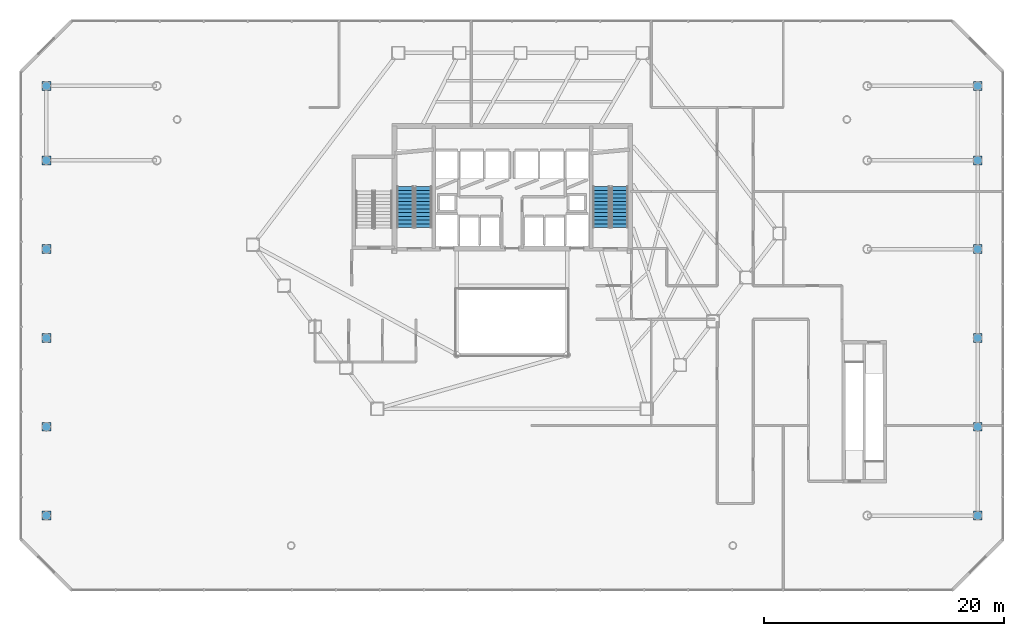
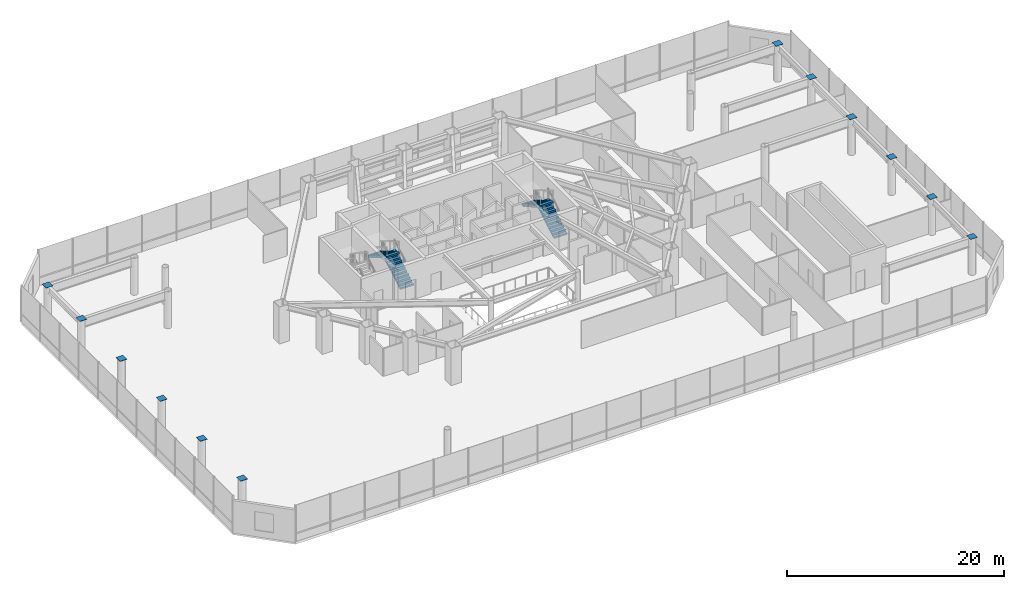
# One storey, part 41 of 43: 12 discrete accessories, 4 stair flights, 2 elements without a shape of their own.
"""IFC4 building model written with IfcOpenShell, lengths in metres."""

import ifcopenshell
import ifcopenshell.guid

model = None  # the IFC model being written
_history = None  # IfcOwnerHistory: only IFC2X3 demands one
_inside = {}  # id of a spatial element -> (the spatial element, [elements in it])
_under = {}  # id of a project, library or spatial element -> (it, [spatial elements below it])
_declared = {}  # id of a project -> (the project, [libraries it declares])
_typed = {}  # id of a type object -> (the type object, [elements of that type])
_made_of = {}  # id of a material, layer set ... -> (it, [elements and type objects made of it])


def new_model(schema):
    """Start an empty IFC model of exactly this schema.

    Asked for "IFC4X3", IfcOpenShell would pick the latest addendum, in which some entities
    have other attributes; the version numbers below select the first issue.
    IFC2X3 requires an IfcOwnerHistory on every rooted entity: one is made here for all.
    """
    global model, _history
    if schema == "IFC4X3":
        model = ifcopenshell.file(schema_version=(4, 3, 0, 0))
    else:
        model = ifcopenshell.file(schema=schema)
    _inside.clear()
    _under.clear()
    _declared.clear()
    _typed.clear()
    _made_of.clear()
    _history = None
    if model.schema == "IFC2X3":
        org = make("IfcOrganization", Name="unknown")
        user = make(
            "IfcPersonAndOrganization",
            ThePerson=make("IfcPerson", FamilyName="unknown"),
            TheOrganization=org,
        )
        app = make(
            "IfcApplication",
            ApplicationDeveloper=org,
            Version="unknown",
            ApplicationFullName="unknown",
            ApplicationIdentifier="unknown",
        )
        _history = make(
            "IfcOwnerHistory",
            OwningUser=user,
            OwningApplication=app,
            ChangeAction="ADDED",
            CreationDate=0,
        )
    return model


def make(cls, **values):
    """One entity of the class cls with the attributes given. An attribute that is None is left unset."""
    return model.create_entity(
        cls, **{name: value for name, value in values.items() if value is not None}
    )


def rooted(cls, **values):
    """An entity with a GlobalId (a new one), such as an element, a storey or a relation."""
    return make(cls, GlobalId=ifcopenshell.guid.new(), OwnerHistory=_history, **values)


def si_unit(unit_type, name, prefix=None):
    """IfcSIUnit, for example si_unit("LENGTHUNIT", "METRE", prefix="MILLI")."""
    return make("IfcSIUnit", UnitType=unit_type, Prefix=prefix, Name=name)


def assignment(units):
    """IfcUnitAssignment: the units of a project."""
    return None if units is None else make("IfcUnitAssignment", Units=units)


def point(xyz):
    """IfcCartesianPoint."""
    return None if xyz is None else make("IfcCartesianPoint", Coordinates=xyz)


def direction(xyz):
    """IfcDirection."""
    return None if xyz is None else make("IfcDirection", DirectionRatios=xyz)


def frame(location, z_axis=None, x_axis=None):
    """IfcAxis2Placement3D, a coordinate frame: its origin and axes. An axis left out is left unset."""
    return make(
        "IfcAxis2Placement3D",
        Location=point(location),
        Axis=direction(z_axis),
        RefDirection=direction(x_axis),
    )


def frame_2d(location, x_axis=None):
    """IfcAxis2Placement2D, a coordinate frame in the plane: its origin and x axis."""
    return make(
        "IfcAxis2Placement2D", Location=point(location), RefDirection=direction(x_axis)
    )


def origin():
    """The frame at (0, 0, 0) with its axes left unset."""
    return frame((0.0, 0.0, 0.0))


def origin_2d():
    """The frame at (0, 0) in the plane with its x axis left unset."""
    return frame_2d((0.0, 0.0))


def place(relative_to, where):
    """IfcLocalPlacement: puts the frame where relative to a parent placement (None: the world)."""
    return make(
        "IfcLocalPlacement", PlacementRelTo=relative_to, RelativePlacement=where
    )


def context(
    kind, dimensions, precision=None, world=None, true_north=None, identifier=None
):
    """IfcGeometricRepresentationContext, for example the 3D "Model" context."""
    return make(
        "IfcGeometricRepresentationContext",
        ContextIdentifier=identifier,
        ContextType=kind,
        CoordinateSpaceDimension=dimensions,
        Precision=precision,
        WorldCoordinateSystem=world,
        TrueNorth=true_north,
    )


def subcontext(parent, identifier, kind, view, scale=None):
    """IfcGeometricRepresentationSubContext, for example "Body" below "Model"."""
    return make(
        "IfcGeometricRepresentationSubContext",
        ContextIdentifier=identifier,
        ContextType=kind,
        ParentContext=parent,
        TargetScale=scale,
        TargetView=view,
    )


def project(units=None, contexts=None):
    """IfcProject with its units and contexts."""
    return rooted(
        "IfcProject",
        Name="project",
        RepresentationContexts=contexts,
        UnitsInContext=assignment(units),
    )


def spatial(cls, under=None, at=None, **own):
    """A site, building, storey or space (cls), placed at a placement, below another one or the project."""
    s = rooted(cls, ObjectPlacement=at, **own)
    if under is not None:
        _under.setdefault(under.id(), (under, []))[1].append(s)
    return s


def polyline(points):
    """IfcPolyline through the points."""
    return make("IfcPolyline", Points=[point(p) for p in points])


def profile(cls, at=None, kind="AREA", **sizes):
    """A parametric profile (cls). Its sizes go by their IFC names, for example OverallWidth=200.0."""
    return make(cls, ProfileType=kind, Position=at, **sizes)


def rectangle(**sizes):
    """IfcRectangleProfileDef."""
    return profile("IfcRectangleProfileDef", **sizes)


def outline(outer, holes=None, kind="AREA"):
    """IfcArbitraryClosedProfileDef: a profile drawn as a closed curve; with holes, ...WithVoids."""
    if holes is None:
        return make("IfcArbitraryClosedProfileDef", ProfileType=kind, OuterCurve=outer)
    return make(
        "IfcArbitraryProfileDefWithVoids",
        ProfileType=kind,
        OuterCurve=outer,
        InnerCurves=holes,
    )


def extrude(swept, where, along, depth):
    """IfcExtrudedAreaSolid: the profile swept, set in the frame where, extruded along a direction by depth."""
    return make(
        "IfcExtrudedAreaSolid",
        SweptArea=swept,
        Position=where,
        ExtrudedDirection=direction(along),
        Depth=depth,
    )


def shape(context_of_items, identifier, shape_type, items):
    """IfcShapeRepresentation: the items that make up one representation, for example the "Body"."""
    return make(
        "IfcShapeRepresentation",
        ContextOfItems=context_of_items,
        RepresentationIdentifier=identifier,
        RepresentationType=shape_type,
        Items=items,
    )


def material(Name=None, Category=None):
    """IfcMaterial."""
    return make("IfcMaterial", Name=Name, Category=Category)


def made_of(thing, what):
    """Note that an element or type object is made of a material, layer set ...; save() writes the relation."""
    if what is not None:
        _made_of.setdefault(what.id(), (what, []))[1].append(thing)
    return thing


def type_object(cls, material=None, **own):
    """A type object (cls), such as IfcWallType, which elements share."""
    return made_of(rooted(cls, **own), material)


def element(
    cls,
    number,
    at=None,
    inside=None,
    cuts=None,
    type_object=None,
    material=None,
    context=None,
    identifier="Body",
    shape_type=None,
    held_by="IfcProductDefinitionShape",
    body=None,
    shapes=None,
    **own,
):
    """One element of the class cls, such as IfcWall. Its Tag is "e" and its number.

    at: its placement. inside: the storey or other place that contains it. cuts: it is an
    opening in that element (IfcRelVoidsElement). A single representation is given by context,
    identifier, shape_type and body (its items); several are given by shapes. held_by: the class
    of the entity that holds the representations. save() writes the other relations.
    """
    e = rooted(cls, Tag="e%d" % number, ObjectPlacement=at, **own)
    if body is not None:
        shapes = [shape(context, identifier, shape_type, body)]
    if shapes is not None:
        e.Representation = make(held_by, Representations=shapes)
    if inside is not None:
        _inside.setdefault(inside.id(), (inside, []))[1].append(e)
    if cuts is not None:
        rooted(
            "IfcRelVoidsElement", RelatingBuildingElement=cuts, RelatedOpeningElement=e
        )
    if type_object is not None:
        _typed.setdefault(type_object.id(), (type_object, []))[1].append(e)
    return made_of(e, material)


def aggregate(whole, parts):
    """IfcRelAggregates: a whole, such as a stair, and the parts it consists of."""
    return rooted("IfcRelAggregates", RelatingObject=whole, RelatedObjects=parts)


def save(model, path):
    """Write the relations noted so far, then the file.

    IfcRelAggregates (storeys below a building ...), IfcRelContainedInSpatialStructure (elements
    in a storey), IfcRelDefinesByType, IfcRelAssociatesMaterial and IfcRelDeclares: one each for
    every whole, place, type object, material and project.
    """
    for whole, parts in _under.values():
        aggregate(whole, parts)
    for where, things in _inside.values():
        rooted(
            "IfcRelContainedInSpatialStructure",
            RelatedElements=things,
            RelatingStructure=where,
        )
    for kind, things in _typed.values():
        rooted("IfcRelDefinesByType", RelatedObjects=things, RelatingType=kind)
    for what, things in _made_of.values():
        rooted("IfcRelAssociatesMaterial", RelatedObjects=things, RelatingMaterial=what)
    for by, libraries in _declared.values():
        rooted("IfcRelDeclares", RelatingContext=by, RelatedDefinitions=libraries)
    model.write(path)


model = new_model("IFC4")

# Units and contexts
model_context = context("Model", 3, precision=1e-05, world=origin(), true_north=direction((0.0, 1.0)))
body_context = subcontext(model_context, "Body", "Model", "MODEL_VIEW")
ifc_project = project(units=[si_unit("LENGTHUNIT", "METRE"), si_unit("AREAUNIT", "SQUARE_METRE"), si_unit("VOLUMEUNIT", "CUBIC_METRE"), si_unit("PLANEANGLEUNIT", "RADIAN"), si_unit("MASSUNIT", "GRAM", prefix="KILO")], contexts=[model_context])

# Site, building, storey
site_placement = place(None, origin())
site = spatial("IfcSite", under=ifc_project, at=site_placement, CompositionType="ELEMENT")
building_placement = place(site_placement, origin())
building = spatial("IfcBuilding", under=site, at=building_placement, Name="Zarrinselat Tower", CompositionType="ELEMENT")
storey_placement = place(building_placement, frame((0.0, 0.0, 5.10009765625)))
storey = spatial("IfcBuildingStorey", under=building, at=storey_placement, Name="L01", CompositionType="ELEMENT", Elevation=5.10009765625)

# Stair, stair flights
ifc_material_1 = material(Name="Concrete C40/50", Category="concrete")
stair_type = type_object("IfcStairType", Name="STR-CORE-155", PredefinedType="HALF_TURN_STAIR", material=ifc_material_1)
stair_1_placement = place(storey_placement, origin())
stair_1 = element("IfcStair", 1, at=stair_1_placement, inside=storey, type_object=stair_type, Name="L01 Core Exit Stair 1", PredefinedType="HALF_TURN_STAIR")
ifc_material_2 = material(Name="Concrete C40/50", Category="concrete")
stair_flight_type = type_object("IfcStairFlightType", Name="STR-FLT-155", PredefinedType="STRAIGHT", material=ifc_material_2)
stair_flight_1_placement = place(storey_placement, frame((31.02001953125, 35.0, 0.0), z_axis=(0.0, 0.0, 1.0), x_axis=(0.0, 1.0, 0.0)))
stair_flight_1 = element("IfcStairFlight", 2, at=stair_flight_1_placement, type_object=stair_flight_type, Name="ST-1 flight 1", NumberOfRisers=12, NumberOfTreads=11, PredefinedType="STRAIGHT", RiserHeight=0.184166667, TreadLength=0.31, context=body_context, shape_type="SweptSolid", body=[
    extrude(outline(polyline([(0.0, 0.0), (0.0, 0.18408203125), (0.31005859375, 0.18408203125), (0.31005859375, 0.368408203125), (0.6201171875, 0.368408203125), (0.6201171875, 0.552490234375), (0.929931640625, 0.552490234375), (0.929931640625, 0.736572265625), (1.239990234375, 0.736572265625), (1.239990234375, 0.9208984375), (1.550048828125, 0.9208984375), (1.550048828125, 1.10498046875), (1.860107421875, 1.10498046875), (1.860107421875, 1.2890625), (2.169921875, 1.2890625), (2.169921875, 1.473388671875), (2.47998046875, 1.473388671875), (2.47998046875, 1.657470703125), (2.7900390625, 1.657470703125), (2.7900390625, 1.841552734375), (3.10009765625, 1.841552734375), (3.10009765625, 2.02587890625), (3.409912109375, 2.02587890625), (3.409912109375, 2.2099609375), (3.409912109375, 1.8515625), (0.29345703125, 0.0), (0.0, 0.0)])), frame((0.0, 0.699951171875, 0.0), z_axis=(0.0, -1.0, 0.0), x_axis=(1.0, 0.0, 0.0)), (0.0, 0.0, 1.0), 1.39990234375),
])
stair_flight_2_placement = place(storey_placement, frame((29.5, 38.409912109375, 2.2099609375), z_axis=(0.0, 0.0, 1.0), x_axis=(0.0, -1.0, 0.0)))
stair_flight_2 = element("IfcStairFlight", 3, at=stair_flight_2_placement, type_object=stair_flight_type, Name="ST-1 flight 2", NumberOfRisers=12, NumberOfTreads=11, PredefinedType="STRAIGHT", RiserHeight=0.184166667, TreadLength=0.31, context=body_context, shape_type="SweptSolid", body=[
    extrude(outline(polyline([(0.0, 0.0), (0.0, 0.18408203125), (0.31005859375, 0.18408203125), (0.31005859375, 0.368408203125), (0.6201171875, 0.368408203125), (0.6201171875, 0.552490234375), (0.929931640625, 0.552490234375), (0.929931640625, 0.736572265625), (1.239990234375, 0.736572265625), (1.239990234375, 0.9208984375), (1.550048828125, 0.9208984375), (1.550048828125, 1.10498046875), (1.860107421875, 1.10498046875), (1.860107421875, 1.2890625), (2.169921875, 1.2890625), (2.169921875, 1.473388671875), (2.47998046875, 1.473388671875), (2.47998046875, 1.657470703125), (2.7900390625, 1.657470703125), (2.7900390625, 1.841552734375), (3.10009765625, 1.841552734375), (3.10009765625, 2.02587890625), (3.409912109375, 2.02587890625), (3.409912109375, 2.2099609375), (3.409912109375, 1.8515625), (0.29345703125, 0.0), (0.0, 0.0)])), frame((0.0, 0.699951171875, 0.0), z_axis=(0.0, -1.0, 0.0), x_axis=(1.0, 0.0, 0.0)), (0.0, 0.0, 1.0), 1.39990234375),
])
aggregate(stair_1, [stair_flight_1, stair_flight_2])

stair_2_placement = place(storey_placement, origin())
stair_2 = element("IfcStair", 4, at=stair_2_placement, inside=storey, type_object=stair_type, Name="L01 Core Exit Stair 2", PredefinedType="HALF_TURN_STAIR")
stair_flight_3_placement = place(storey_placement, frame((47.360107421875, 35.0, 0.0), z_axis=(0.0, 0.0, 1.0), x_axis=(0.0, 1.0, 0.0)))
stair_flight_3 = element("IfcStairFlight", 5, at=stair_flight_3_placement, type_object=stair_flight_type, Name="ST-2 flight 1", NumberOfRisers=12, NumberOfTreads=11, PredefinedType="STRAIGHT", RiserHeight=0.184166667, TreadLength=0.31, context=body_context, shape_type="SweptSolid", body=[
    extrude(outline(polyline([(0.0, 0.0), (0.0, 0.18408203125), (0.31005859375, 0.18408203125), (0.31005859375, 0.368408203125), (0.6201171875, 0.368408203125), (0.6201171875, 0.552490234375), (0.929931640625, 0.552490234375), (0.929931640625, 0.736572265625), (1.239990234375, 0.736572265625), (1.239990234375, 0.9208984375), (1.550048828125, 0.9208984375), (1.550048828125, 1.10498046875), (1.860107421875, 1.10498046875), (1.860107421875, 1.2890625), (2.169921875, 1.2890625), (2.169921875, 1.473388671875), (2.47998046875, 1.473388671875), (2.47998046875, 1.657470703125), (2.7900390625, 1.657470703125), (2.7900390625, 1.841552734375), (3.10009765625, 1.841552734375), (3.10009765625, 2.02587890625), (3.409912109375, 2.02587890625), (3.409912109375, 2.2099609375), (3.409912109375, 1.8515625), (0.29345703125, 0.0), (0.0, 0.0)])), frame((0.0, 0.699951171875, 0.0), z_axis=(0.0, -1.0, 0.0), x_axis=(1.0, 0.0, 0.0)), (0.0, 0.0, 1.0), 1.39990234375),
])
stair_flight_4_placement = place(storey_placement, frame((45.840087890625, 38.409912109375, 2.2099609375), z_axis=(0.0, 0.0, 1.0), x_axis=(0.0, -1.0, 0.0)))
stair_flight_4 = element("IfcStairFlight", 6, at=stair_flight_4_placement, type_object=stair_flight_type, Name="ST-2 flight 2", NumberOfRisers=12, NumberOfTreads=11, PredefinedType="STRAIGHT", RiserHeight=0.184166667, TreadLength=0.31, context=body_context, shape_type="SweptSolid", body=[
    extrude(outline(polyline([(0.0, 0.0), (0.0, 0.18408203125), (0.31005859375, 0.18408203125), (0.31005859375, 0.368408203125), (0.6201171875, 0.368408203125), (0.6201171875, 0.552490234375), (0.929931640625, 0.552490234375), (0.929931640625, 0.736572265625), (1.239990234375, 0.736572265625), (1.239990234375, 0.9208984375), (1.550048828125, 0.9208984375), (1.550048828125, 1.10498046875), (1.860107421875, 1.10498046875), (1.860107421875, 1.2890625), (2.169921875, 1.2890625), (2.169921875, 1.473388671875), (2.47998046875, 1.473388671875), (2.47998046875, 1.657470703125), (2.7900390625, 1.657470703125), (2.7900390625, 1.841552734375), (3.10009765625, 1.841552734375), (3.10009765625, 2.02587890625), (3.409912109375, 2.02587890625), (3.409912109375, 2.2099609375), (3.409912109375, 1.8515625), (0.29345703125, 0.0), (0.0, 0.0)])), frame((0.0, 0.699951171875, 0.0), z_axis=(0.0, -1.0, 0.0), x_axis=(1.0, 0.0, 0.0)), (0.0, 0.0, 1.0), 1.39990234375),
])
aggregate(stair_2, [stair_flight_3, stair_flight_4])

# Discrete accessories
ifc_material_3 = material(Name="Steel S460M", Category="steel")
discrete_accessory_type = type_object("IfcDiscreteAccessoryType", Name="ACC-BRACE-END", PredefinedType="BRACKET", material=ifc_material_3)
for number, where, z_axis, x_axis, name in (
    (7, (-0.39990234375, 40.60009765625, 4.10888671875), (0.0, 0.0, 1.0), (1.0, 0.0, 0.0), "L01 Podium Outer Column W-40 Top Cap"),
    (8, (-0.39990234375, 46.800048828125, 4.10888671875), (0.0, 0.0, 1.0), (1.0, 0.0, 0.0), "L01 Podium Outer Column W-46 Top Cap"),
    (9, (77.199951171875, 11.0, 4.10888671875), (0.0, 0.0, 1.0), (1.0, 0.0, 0.0), "L01 Podium Outer Column E-11 Top Cap"),
    (10, (77.199951171875, 33.199951171875, 4.10888671875), (0.0, 0.0, 1.0), (1.0, 0.0, 0.0), "L01 Podium Outer Column E-33 Top Cap"),
    (11, (77.199951171875, 40.60009765625, 4.10888671875), (0.0, 0.0, 1.0), (1.0, 0.0, 0.0), "L01 Podium Outer Column E-40 Top Cap"),
    (12, (77.199951171875, 46.800048828125, 4.10888671875), (0.0, 0.0, 1.0), (1.0, 0.0, 0.0), "L01 Podium Outer Column E-46 Top Cap"),
    (13, (-0.39990234375, 11.0, 4.10888671875), (0.0, 0.0, 1.0), (1.0, 0.0, 0.0), "L01 Lower Podium Column 01 Top Cap"),
    (14, (-0.39990234375, 18.39990234375, 4.10888671875), (0.0, 0.0, 1.0), (1.0, 0.0, 0.0), "L01 Lower Podium Column 02 Top Cap"),
    (15, (-0.39990234375, 25.800048828125, 4.10888671875), (0.0, 0.0, 1.0), (1.0, 0.0, 0.0), "L01 Lower Podium Column 03 Top Cap"),
    (16, (-0.39990234375, 33.199951171875, 4.10888671875), (0.0, 0.0, 1.0), (1.0, 0.0, 0.0), "L01 Lower Podium Column 04 Top Cap"),
    (17, (77.199951171875, 18.39990234375, 4.10888671875), (0.0, 0.0, 1.0), (1.0, 0.0, 0.0), "L01 Lower Podium Column 05 Top Cap"),
    (18, (77.199951171875, 25.800048828125, 4.10888671875), (0.0, 0.0, 1.0), (1.0, 0.0, 0.0), "L01 Lower Podium Column 06 Top Cap"),
):
    element("IfcDiscreteAccessory", number, at=place(storey_placement, frame(where, z_axis=z_axis, x_axis=x_axis)), inside=storey, type_object=discrete_accessory_type, Name=name, PredefinedType="BRACKET", context=body_context, shape_type="SweptSolid", body=[
        extrude(rectangle(XDim=0.739990234375, YDim=0.739990234375, at=origin_2d()), origin(), (0.0, 0.0, 1.0), 0.031982421875),
    ])

save(model, "model.ifc")
